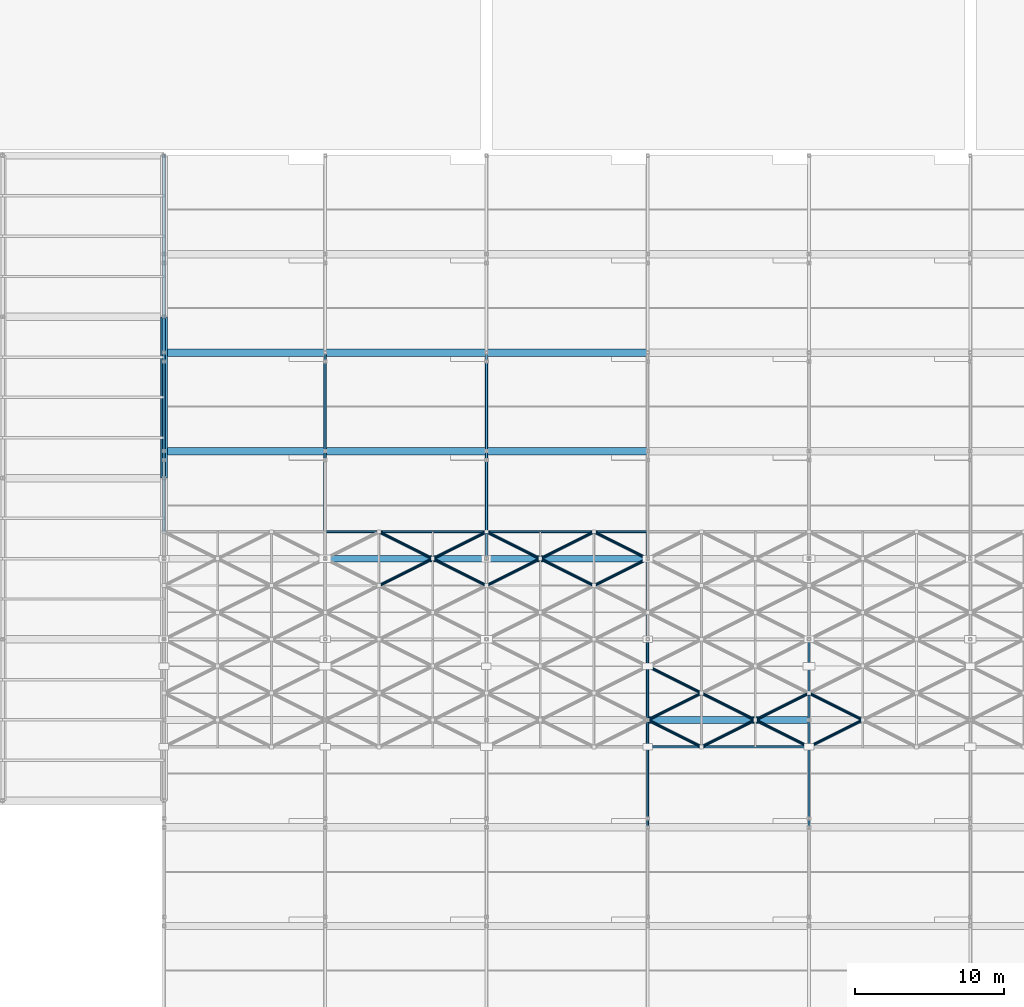
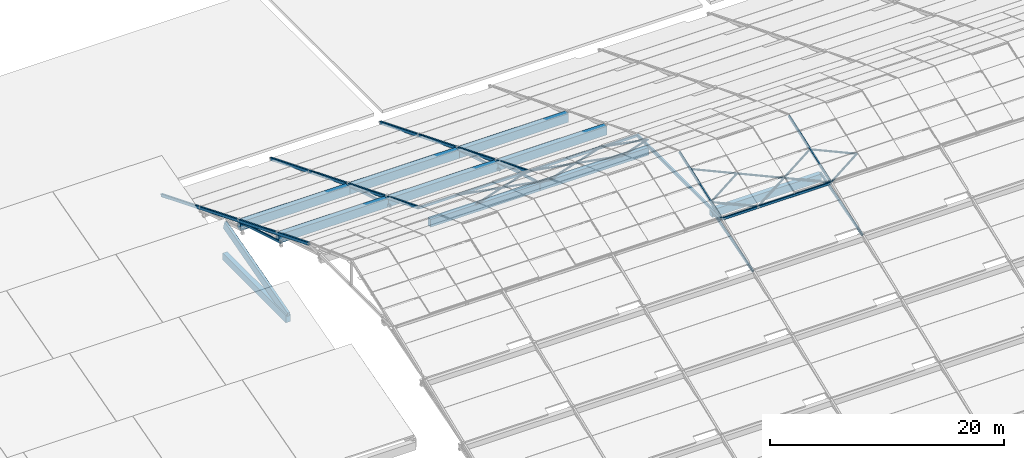
# One storey, part 43 of 112: 35 members, 10 beams.
"""IFC4 building model written with IfcOpenShell, lengths in metres."""

from ifc_helpers import new_model, si_unit, direction, frame, origin, origin_2d, place, context, subcontext, project, spatial, rectangle, hollow_rectangle, hollow_circle, extrude, material, material_profile, profile_set, type_object, element, save


model = new_model("IFC4")

# Units and contexts
model_context = context("Model", 3, precision=1e-05, world=origin(), true_north=direction((0.0, 1.0)))
body_context = subcontext(model_context, "Body", "Model", "MODEL_VIEW")
ifc_project = project(units=[si_unit("LENGTHUNIT", "METRE"), si_unit("AREAUNIT", "SQUARE_METRE"), si_unit("VOLUMEUNIT", "CUBIC_METRE"), si_unit("PLANEANGLEUNIT", "RADIAN"), si_unit("MASSUNIT", "GRAM", prefix="KILO")], contexts=[model_context])

# Site, building, storey
site_placement = place(None, origin())
site = spatial("IfcSite", under=ifc_project, at=site_placement, CompositionType="ELEMENT")
building_placement = place(site_placement, origin())
building = spatial("IfcBuilding", under=site, at=building_placement, Name="Zwinboog Wholesale Market", CompositionType="ELEMENT")
storey_placement = place(building_placement, frame((0.0, 0.0, 19.080078125)))
storey = spatial("IfcBuildingStorey", under=building, at=storey_placement, Name="Roof", CompositionType="ELEMENT", Elevation=19.080078125)

# Beams
ifc_material_1 = material(Name="Precast concrete C45/55", Category="concrete")
ifc_material_profile_1 = material_profile(ifc_material_1, rectangle(XDim=0.449951171875, YDim=0.75, at=origin_2d()), Name="PC 450x750")
ifc_profile_set_1 = profile_set([ifc_material_profile_1], Name="Precast concrete C45/55")
beam_type_1 = type_object("IfcBeamType", Name="BT-04", PredefinedType="BEAM", material=ifc_profile_set_1)
beam_1_placement = place(storey_placement, frame((64.800048828125, 86.39990234375, -9.375), z_axis=(0.0, 1.0, 0.0), x_axis=(-1.0, 0.0, 0.0)))
element("IfcBeam", 1, at=beam_1_placement, inside=storey, type_object=beam_type_1, Name="BG-04 (BMG-Roof-0648-0864-1257)", PredefinedType="BEAM", context=body_context, shape_type="SweptSolid", body=[
    extrude(rectangle(XDim=0.449951171875, YDim=0.75, at=origin_2d()), origin(), (0.0, 0.0, 1.0), 10.800048828125),
])
ifc_material_profile_2 = material_profile(ifc_material_1, rectangle(XDim=0.5, YDim=0.89990234375, at=origin_2d()), Name="PC 500x900")
ifc_profile_set_2 = profile_set([ifc_material_profile_2], Name="Precast concrete C45/55")
beam_type_2 = type_object("IfcBeamType", Name="BT-06", PredefinedType="BEAM", material=ifc_profile_set_2)
for number, where, z_axis, x_axis, name in (
    (2, (64.800048828125, 94.800048828125, -4.716064453125), (1.0, 0.0, 0.0), (0.0, 1.0, 0.0), "EB-01 (BMG-Roof-0648-0948-1063)"),
    (3, (64.800048828125, 88.199951171875, -2.031982421875), (1.0, 0.0, 0.0), (0.0, 1.0, 0.0), "EB-01 (BMG-Roof-0648-0882-1064)"),
):
    element("IfcBeam", number, at=place(storey_placement, frame(where, z_axis=z_axis, x_axis=x_axis)), inside=storey, type_object=beam_type_2, Name=name, PredefinedType="BEAM", context=body_context, shape_type="SweptSolid", body=[
        extrude(rectangle(XDim=0.5, YDim=0.89990234375, at=origin_2d()), origin(), (0.0, 0.0, 1.0), 10.800048828125),
    ])
for number, where, z_axis, x_axis, name in (
    (4, (75.60009765625, 94.800048828125, -4.716064453125), (1.0, 0.0, 0.0), (0.0, 1.0, 0.0), "EB-01 (BMG-Roof-0756-0948-1072)"),
    (5, (75.60009765625, 88.199951171875, -2.031982421875), (1.0, 0.0, 0.0), (0.0, 1.0, 0.0), "EB-01 (BMG-Roof-0756-0882-1073)"),
):
    element("IfcBeam", number, at=place(storey_placement, frame(where, z_axis=z_axis, x_axis=x_axis)), inside=storey, type_object=beam_type_2, Name=name, PredefinedType="BEAM", context=body_context, shape_type="SweptSolid", body=[
        extrude(rectangle(XDim=0.5, YDim=0.89990234375, at=origin_2d()), origin(), (0.0, 0.0, 1.0), 10.7998046875),
    ])
for number, where, z_axis, x_axis, name in (
    (6, (86.39990234375, 94.800048828125, -4.716064453125), (1.0, 0.0, 0.0), (0.0, 1.0, 0.0), "EB-01 (BMG-Roof-0864-0948-1081)"),
    (7, (86.39990234375, 88.199951171875, -2.031982421875), (1.0, 0.0, 0.0), (0.0, 1.0, 0.0), "EB-01 (BMG-Roof-0864-0882-1082)"),
):
    element("IfcBeam", number, at=place(storey_placement, frame(where, z_axis=z_axis, x_axis=x_axis)), inside=storey, type_object=beam_type_2, Name=name, PredefinedType="BEAM", context=body_context, shape_type="SweptSolid", body=[
        extrude(rectangle(XDim=0.5, YDim=0.89990234375, at=origin_2d()), origin(), (0.0, 0.0, 1.0), 10.800048828125),
    ])
ifc_material_profile_3 = material_profile(ifc_material_1, rectangle(XDim=0.449951171875, YDim=0.800048828125, at=origin_2d()), Name="PC 450x800")
ifc_profile_set_3 = profile_set([ifc_material_profile_3], Name="Precast concrete C45/55")
beam_type_3 = type_object("IfcBeamType", Name="BT-07", PredefinedType="BEAM", material=ifc_profile_set_3)
beam_2_placement = place(storey_placement, frame((75.60009765625, 81.0, 0.16796875), z_axis=(1.0, 0.0, 0.0), x_axis=(0.0, 1.0, 0.0)))
element("IfcBeam", 8, at=beam_2_placement, inside=storey, type_object=beam_type_3, Name="EB-02 (BMG-Roof-0756-0810-1074)", PredefinedType="BEAM", context=body_context, shape_type="SweptSolid", body=[
    extrude(rectangle(XDim=0.449951171875, YDim=0.800048828125, at=origin_2d()), origin(), (0.0, 0.0, 1.0), 10.7998046875),
])
for number, where, z_axis, x_axis, name in (
    (9, (86.39990234375, 81.0, 0.16796875), (1.0, 0.0, 0.0), (0.0, 1.0, 0.0), "EB-02 (BMG-Roof-0864-0810-1083)"),
    (10, (97.199951171875, 70.199951171875, 0.16796875), (1.0, 0.0, 0.0), (0.0, 1.0, 0.0), "EB-02 (BMG-Roof-0972-0702-1088)"),
):
    element("IfcBeam", number, at=place(storey_placement, frame(where, z_axis=z_axis, x_axis=x_axis)), inside=storey, type_object=beam_type_3, Name=name, PredefinedType="BEAM", context=body_context, shape_type="SweptSolid", body=[
        extrude(rectangle(XDim=0.449951171875, YDim=0.800048828125, at=origin_2d()), origin(), (0.0, 0.0, 1.0), 10.800048828125),
    ])

# Members
ifc_material_2 = material(Name="Steel S355", Category="steel")
ifc_material_profile_4 = material_profile(ifc_material_2, hollow_rectangle(XDim=0.199951171875, YDim=0.300048828125, WallThickness=0.012451171875, InnerFilletRadius=0.012451171875, OuterFilletRadius=0.02490234375, at=origin_2d()), Name="RHS 300x200x12.5")
ifc_profile_set_4 = profile_set([ifc_material_profile_4], Name="Steel S355")
member_type_1 = type_object("IfcMemberType", Name="MT-01", PredefinedType="CHORD", material=ifc_profile_set_4)
for number, where, z_axis, x_axis, name in (
    (11, (64.800048828125, 108.0, -9.580078125), (0.0, -0.926947185036, 0.375191839135), (1.0, 0.0, 0.0), "DC-01 (MEM-Roof-0014)"),
    (12, (75.60009765625, 108.0, -9.580078125), (0.0, -0.926947185036, 0.375191839135), (1.0, 0.0, 0.0), "DC-01 (MEM-Roof-0044)"),
    (13, (86.39990234375, 108.0, -9.580078125), (0.0, -0.926947185036, 0.375191839135), (1.0, 0.0, 0.0), "DC-01 (MEM-Roof-0074)"),
):
    element("IfcMember", number, at=place(storey_placement, frame(where, z_axis=z_axis, x_axis=x_axis)), inside=storey, type_object=member_type_1, Name=name, PredefinedType="CHORD", context=body_context, shape_type="SweptSolid", body=[
        extrude(hollow_rectangle(XDim=0.199951171875, YDim=0.300048828125, WallThickness=0.012451171875, InnerFilletRadius=0.012451171875, OuterFilletRadius=0.02490234375, at=origin_2d()), origin(), (0.0, 0.0, 1.0), 27.18603515625),
    ])
member_1_placement = place(storey_placement, frame((97.199951171875, 68.39990234375, 0.619873046875), z_axis=(0.0, 1.0, 0.0), x_axis=(-1.0, 0.0, 0.0)))
element("IfcMember", 14, at=member_1_placement, inside=storey, type_object=member_type_1, Name="DC-01 (MEM-Roof-0117)", PredefinedType="CHORD", context=body_context, shape_type="SweptSolid", body=[
    extrude(hollow_rectangle(XDim=0.199951171875, YDim=0.300048828125, WallThickness=0.012451171875, InnerFilletRadius=0.012451171875, OuterFilletRadius=0.02490234375, at=origin_2d()), origin(), (0.0, 0.0, 1.0), 14.400146484375),
])
ifc_material_profile_5 = material_profile(ifc_material_2, hollow_rectangle(XDim=0.14990234375, YDim=0.25, WallThickness=0.010009765625, InnerFilletRadius=0.010009765625, OuterFilletRadius=0.02001953125, at=origin_2d()), Name="RHS 250x150x10")
ifc_profile_set_5 = profile_set([ifc_material_profile_5], Name="Steel S355")
member_type_2 = type_object("IfcMemberType", Name="MT-02", PredefinedType="CHORD", material=ifc_profile_set_5)
for number, where, z_axis, x_axis, name in (
    (15, (64.800048828125, 94.800048828125, -4.300048828125), (0.0, -0.958194819429, 0.286116563694), (1.0, 0.0, 0.0), "DC-02 (MEM-Roof-0023)"),
    (16, (75.60009765625, 94.800048828125, -4.300048828125), (0.0, -0.958194819429, 0.286116563694), (1.0, 0.0, 0.0), "DC-02 (MEM-Roof-0053)"),
    (17, (86.39990234375, 94.800048828125, -4.300048828125), (0.0, -0.958194819429, 0.286116563694), (1.0, 0.0, 0.0), "DC-02 (MEM-Roof-0083)"),
    (18, (86.39990234375, 88.199951171875, -1.60009765625), (0.0, -0.958194819429, 0.286116563694), (1.0, 0.0, 0.0), "DC-02 (MEM-Roof-0086)"),
    (19, (97.199951171875, 63.0, -1.60009765625), (0.0, 0.958194819429, 0.286116563694), (-1.0, 0.0, 0.0), "DC-02 (MEM-Roof-0103)"),
):
    element("IfcMember", number, at=place(storey_placement, frame(where, z_axis=z_axis, x_axis=x_axis)), inside=storey, type_object=member_type_2, Name=name, PredefinedType="CHORD", context=body_context, shape_type="SweptSolid", body=[
        extrude(hollow_rectangle(XDim=0.14990234375, YDim=0.25, WallThickness=0.010009765625, InnerFilletRadius=0.010009765625, OuterFilletRadius=0.02001953125, at=origin_2d()), origin(), (0.0, 0.0, 1.0), 7.51416015625),
    ])
member_2_placement = place(storey_placement, frame((97.199951171875, 68.39990234375, 0.619873046875), z_axis=(0.0, 0.940552767691, 0.339647598532), x_axis=(-1.0, 0.0, 0.0)))
element("IfcMember", 20, at=member_2_placement, inside=storey, type_object=member_type_2, Name="DC-02 (MEM-Roof-0119)", PredefinedType="CHORD", context=body_context, shape_type="SweptSolid", body=[
    extrude(hollow_rectangle(XDim=0.14990234375, YDim=0.25, WallThickness=0.010009765625, InnerFilletRadius=0.010009765625, OuterFilletRadius=0.02001953125, at=origin_2d()), origin(), (0.0, 0.0, 1.0), 7.6552734375),
])
member_3_placement = place(storey_placement, frame((108.0, 63.0, -1.60009765625), z_axis=(0.0, 0.958194819429, 0.286116563694), x_axis=(-1.0, 0.0, 0.0)))
element("IfcMember", 21, at=member_3_placement, inside=storey, type_object=member_type_2, Name="DC-02 (MEM-Roof-0133)", PredefinedType="CHORD", context=body_context, shape_type="SweptSolid", body=[
    extrude(hollow_rectangle(XDim=0.14990234375, YDim=0.25, WallThickness=0.010009765625, InnerFilletRadius=0.010009765625, OuterFilletRadius=0.02001953125, at=origin_2d()), origin(), (0.0, 0.0, 1.0), 7.51416015625),
])
member_4_placement = place(storey_placement, frame((108.0, 68.39990234375, 0.619873046875), z_axis=(0.0, 0.940552767691, 0.339647598532), x_axis=(-1.0, 0.0, 0.0)))
element("IfcMember", 22, at=member_4_placement, inside=storey, type_object=member_type_2, Name="DC-02 (MEM-Roof-0149)", PredefinedType="CHORD", context=body_context, shape_type="SweptSolid", body=[
    extrude(hollow_rectangle(XDim=0.14990234375, YDim=0.25, WallThickness=0.010009765625, InnerFilletRadius=0.010009765625, OuterFilletRadius=0.02001953125, at=origin_2d()), origin(), (0.0, 0.0, 1.0), 7.6552734375),
])
member_5_placement = place(storey_placement, frame((75.60009765625, 82.800048828125, 0.58984375), z_axis=(1.0, 0.0, 0.0), x_axis=(0.0, 1.0, 0.0)))
element("IfcMember", 23, at=member_5_placement, inside=storey, type_object=member_type_2, Name="DC-02 (MEM-Roof-0336)", PredefinedType="CHORD", context=body_context, shape_type="SweptSolid", body=[
    extrude(hollow_rectangle(XDim=0.14990234375, YDim=0.25, WallThickness=0.010009765625, InnerFilletRadius=0.010009765625, OuterFilletRadius=0.02001953125, at=origin_2d()), origin(), (0.0, 0.0, 1.0), 10.7998046875),
])
for number, where, z_axis, x_axis, name in (
    (24, (86.39990234375, 82.800048828125, 0.58984375), (1.0, 0.0, 0.0), (0.0, 1.0, 0.0), "DC-02 (MEM-Roof-0339)"),
    (25, (97.199951171875, 68.39990234375, 0.58984375), (1.0, 0.0, 0.0), (0.0, 1.0, 0.0), "DC-02 (MEM-Roof-0341)"),
):
    element("IfcMember", number, at=place(storey_placement, frame(where, z_axis=z_axis, x_axis=x_axis)), inside=storey, type_object=member_type_2, Name=name, PredefinedType="CHORD", context=body_context, shape_type="SweptSolid", body=[
        extrude(hollow_rectangle(XDim=0.14990234375, YDim=0.25, WallThickness=0.010009765625, InnerFilletRadius=0.010009765625, OuterFilletRadius=0.02001953125, at=origin_2d()), origin(), (0.0, 0.0, 1.0), 10.800048828125),
    ])
ifc_material_profile_6 = material_profile(ifc_material_2, hollow_circle(Radius=0.096923828125, WallThickness=0.010009765625, at=origin_2d()), Name="CHS 193.7x10")
ifc_profile_set_6 = profile_set([ifc_material_profile_6], Name="Steel S355")
member_type_3 = type_object("IfcMemberType", Name="MT-06", PredefinedType="BRACE", material=ifc_profile_set_6)
for number, where, z_axis, x_axis, name in (
    (26, (79.199951171875, 79.199951171875, 1.905029296875), (0.883408764097, 0.441704382048, -0.156480651826), (-0.4472135955, 0.894427191, 0.0), "DB-03 (MEM-Roof-0409)"),
    (27, (79.199951171875, 82.800048828125, 0.6298828125), (0.883417044144, -0.441708522072, 0.156422209566), (0.4472135955, 0.894427191, 0.0), "DB-03 (MEM-Roof-0410)"),
):
    element("IfcMember", number, at=place(storey_placement, frame(where, z_axis=z_axis, x_axis=x_axis)), inside=storey, type_object=member_type_3, Name=name, PredefinedType="BRACE", context=body_context, shape_type="SweptSolid", body=[
        extrude(hollow_circle(Radius=0.096923828125, WallThickness=0.010009765625, at=origin_2d()), origin(), (0.0, 0.0, 1.0), 4.0751953125),
    ])
for number, where, z_axis, x_axis, name in (
    (28, (82.800048828125, 81.0, 1.267333984375), (0.883395607837, -0.441727759687, 0.156488933718), (0.447237858884, 0.894415058897, 0.0), "DB-03 (MEM-Roof-0419)"),
    (29, (82.800048828125, 81.0, 1.267333984375), (0.883403888637, 0.441731900368, -0.15643048852), (-0.447237858884, 0.894415058897, 0.0), "DB-03 (MEM-Roof-0420)"),
):
    element("IfcMember", number, at=place(storey_placement, frame(where, z_axis=z_axis, x_axis=x_axis)), inside=storey, type_object=member_type_3, Name=name, PredefinedType="BRACE", context=body_context, shape_type="SweptSolid", body=[
        extrude(hollow_circle(Radius=0.096923828125, WallThickness=0.010009765625, at=origin_2d()), origin(), (0.0, 0.0, 1.0), 4.074951171875),
    ])
for number, where, z_axis, x_axis, name in (
    (30, (86.39990234375, 79.199951171875, 1.905029296875), (0.883408764097, 0.441704382048, -0.156480651826), (-0.4472135955, 0.894427191, 0.0), "DB-03 (MEM-Roof-0429)"),
    (31, (86.39990234375, 82.800048828125, 0.6298828125), (0.883417044144, -0.441708522072, 0.156422209566), (0.4472135955, 0.894427191, 0.0), "DB-03 (MEM-Roof-0430)"),
    (32, (90.0, 81.0, 1.267333984375), (0.883408764097, -0.441704382048, 0.156480651826), (0.4472135955, 0.894427191, 0.0), "DB-03 (MEM-Roof-0439)"),
    (33, (90.0, 81.0, 1.267333984375), (0.883417044144, 0.441708522072, -0.156422209566), (-0.4472135955, 0.894427191, 0.0), "DB-03 (MEM-Roof-0440)"),
):
    element("IfcMember", number, at=place(storey_placement, frame(where, z_axis=z_axis, x_axis=x_axis)), inside=storey, type_object=member_type_3, Name=name, PredefinedType="BRACE", context=body_context, shape_type="SweptSolid", body=[
        extrude(hollow_circle(Radius=0.096923828125, WallThickness=0.010009765625, at=origin_2d()), origin(), (0.0, 0.0, 1.0), 4.0751953125),
    ])
for number, where, z_axis, x_axis, name in (
    (34, (93.60009765625, 79.199951171875, 1.905029296875), (0.883395607837, 0.441727759687, -0.156488933718), (-0.447237858884, 0.894415058897, 0.0), "DB-03 (MEM-Roof-0449)"),
    (35, (93.60009765625, 82.800048828125, 0.6298828125), (0.883403888637, -0.441731900368, 0.15643048852), (0.447237858884, 0.894415058897, 0.0), "DB-03 (MEM-Roof-0450)"),
):
    element("IfcMember", number, at=place(storey_placement, frame(where, z_axis=z_axis, x_axis=x_axis)), inside=storey, type_object=member_type_3, Name=name, PredefinedType="BRACE", context=body_context, shape_type="SweptSolid", body=[
        extrude(hollow_circle(Radius=0.096923828125, WallThickness=0.010009765625, at=origin_2d()), origin(), (0.0, 0.0, 1.0), 4.074951171875),
    ])
for number, where, z_axis, x_axis, name in (
    (36, (97.199951171875, 70.199951171875, 1.267333984375), (0.883417044144, -0.441708522072, -0.156422209566), (0.4472135955, 0.894427191, 0.0), "DB-03 (MEM-Roof-0453)"),
    (37, (97.199951171875, 70.199951171875, 1.267333984375), (0.883408764097, 0.441704382048, 0.156480651826), (-0.4472135955, 0.894427191, 0.0), "DB-03 (MEM-Roof-0454)"),
    (38, (97.199951171875, 73.800048828125, 2.54248046875), (0.883417044144, -0.441708522072, -0.156422209566), (0.4472135955, 0.894427191, 0.0), "DB-03 (MEM-Roof-0455)"),
):
    element("IfcMember", number, at=place(storey_placement, frame(where, z_axis=z_axis, x_axis=x_axis)), inside=storey, type_object=member_type_3, Name=name, PredefinedType="BRACE", context=body_context, shape_type="SweptSolid", body=[
        extrude(hollow_circle(Radius=0.096923828125, WallThickness=0.010009765625, at=origin_2d()), origin(), (0.0, 0.0, 1.0), 4.0751953125),
    ])
for number, where, z_axis, x_axis, name in (
    (39, (100.800048828125, 68.39990234375, 0.6298828125), (0.883403888637, 0.441731900368, 0.15643048852), (-0.447237858884, 0.894415058897, 0.0), "DB-03 (MEM-Roof-0463)"),
    (40, (100.800048828125, 72.0, 1.905029296875), (0.883395607837, -0.441727759687, -0.156488933718), (0.447237858884, 0.894415058897, 0.0), "DB-03 (MEM-Roof-0464)"),
):
    element("IfcMember", number, at=place(storey_placement, frame(where, z_axis=z_axis, x_axis=x_axis)), inside=storey, type_object=member_type_3, Name=name, PredefinedType="BRACE", context=body_context, shape_type="SweptSolid", body=[
        extrude(hollow_circle(Radius=0.096923828125, WallThickness=0.010009765625, at=origin_2d()), origin(), (0.0, 0.0, 1.0), 4.074951171875),
    ])
for number, where, z_axis, x_axis, name in (
    (41, (104.39990234375, 70.199951171875, 1.267333984375), (0.883417044144, -0.441708522072, -0.156422209566), (0.4472135955, 0.894427191, 0.0), "DB-03 (MEM-Roof-0473)"),
    (42, (104.39990234375, 70.199951171875, 1.267333984375), (0.883408764097, 0.441704382048, 0.156480651826), (-0.4472135955, 0.894427191, 0.0), "DB-03 (MEM-Roof-0474)"),
    (43, (108.0, 68.39990234375, 0.6298828125), (0.883417044144, 0.441708522072, 0.156422209566), (-0.4472135955, 0.894427191, 0.0), "DB-03 (MEM-Roof-0483)"),
    (44, (108.0, 72.0, 1.905029296875), (0.883408764097, -0.441704382048, -0.156480651826), (0.4472135955, 0.894427191, 0.0), "DB-03 (MEM-Roof-0484)"),
):
    element("IfcMember", number, at=place(storey_placement, frame(where, z_axis=z_axis, x_axis=x_axis)), inside=storey, type_object=member_type_3, Name=name, PredefinedType="BRACE", context=body_context, shape_type="SweptSolid", body=[
        extrude(hollow_circle(Radius=0.096923828125, WallThickness=0.010009765625, at=origin_2d()), origin(), (0.0, 0.0, 1.0), 4.0751953125),
    ])
ifc_material_3 = material(Name="Glulam GL28h", Category="wood")
ifc_material_profile_7 = material_profile(ifc_material_3, rectangle(XDim=0.239990234375, YDim=0.840087890625, at=origin_2d()), Name="GL28h 240x840")
ifc_profile_set_7 = profile_set([ifc_material_profile_7], Name="Glulam GL28h")
member_type_4 = type_object("IfcMemberType", Name="MT-09", PredefinedType="RAFTER", material=ifc_profile_set_7)
member_6_placement = place(storey_placement, frame((64.800048828125, 86.39990234375, -9.11328125), z_axis=(0.0, 0.963518221675, 0.26764274042), x_axis=(-1.0, 0.0, 0.0)))
element("IfcMember", 45, at=member_6_placement, inside=storey, type_object=member_type_4, Name="GR-01 (MEM-Roof-0872)", PredefinedType="RAFTER", context=body_context, shape_type="SweptSolid", body=[
    extrude(rectangle(XDim=0.239990234375, YDim=0.840087890625, at=origin_2d()), origin(), (0.0, 0.0, 1.0), 11.208984375),
])

save(model, "model.ifc")
